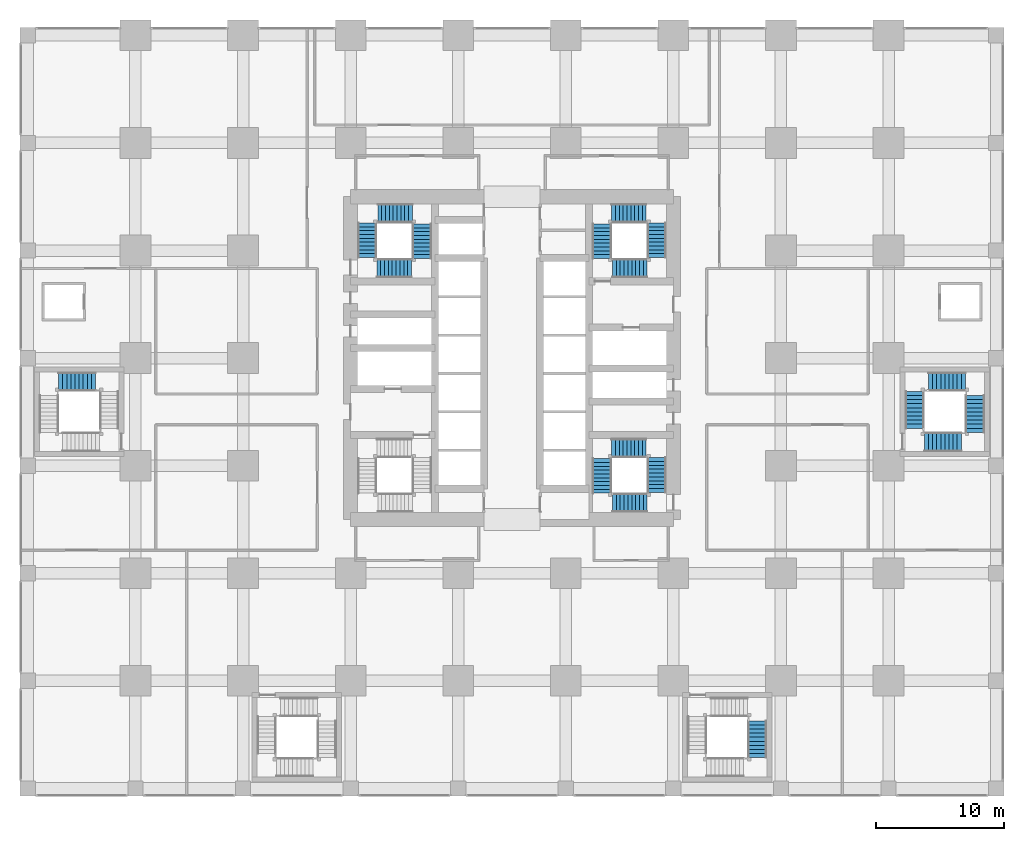
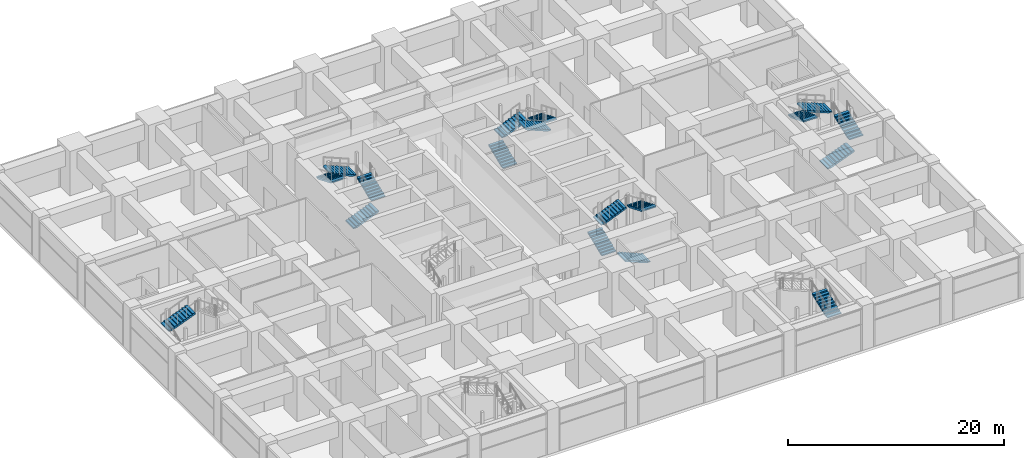
# One storey, part 40 of 49: 18 stair flights, 6 elements without a shape of their own.
"""IFC4 building model written with IfcOpenShell, lengths in metres."""

from ifc_helpers import new_model, si_unit, direction, frame, origin, place, context, subcontext, project, spatial, polyline, outline, extrude, material, type_object, element, aggregate, save


model = new_model("IFC4")

# Units and contexts
model_context = context("Model", 3, precision=1e-05, world=origin(), true_north=direction((0.0, 1.0)))
body_context = subcontext(model_context, "Body", "Model", "MODEL_VIEW")
ifc_project = project(units=[si_unit("LENGTHUNIT", "METRE"), si_unit("AREAUNIT", "SQUARE_METRE"), si_unit("VOLUMEUNIT", "CUBIC_METRE"), si_unit("PLANEANGLEUNIT", "RADIAN"), si_unit("MASSUNIT", "GRAM", prefix="KILO")], contexts=[model_context])

# Site, building, storey
site_placement = place(None, origin())
site = spatial("IfcSite", under=ifc_project, at=site_placement, CompositionType="ELEMENT")
building_placement = place(site_placement, origin())
building = spatial("IfcBuilding", under=site, at=building_placement, Name="Rekha Terrace Tower", CompositionType="ELEMENT")
storey_placement = place(building_placement, frame((0.0, 0.0, 10.39990234375)))
storey = spatial("IfcBuildingStorey", under=building, at=storey_placement, Name="L02", CompositionType="ELEMENT", Elevation=10.39990234375)

# Stair, stair flights
ifc_material = material(Name="Concrete M40", Category="concrete")
stair_type_1 = type_object("IfcStairType", Name="ST40 stair, 40 risers of 125, going 300, 1500 wide flights, 4 flights", PredefinedType="QUARTER_TURN_STAIR", material=ifc_material)
stair_1_placement = place(storey_placement, origin())
stair_1 = element("IfcStair", 1, at=stair_1_placement, inside=storey, type_object=stair_type_1, Name="Stair ST2 L02 to L03", PredefinedType="QUARTER_TURN_STAIR")
stair_flight_type_1 = type_object("IfcStairFlightType", Name="SF10 stair flight, 10 risers of 125, going 300, 1500 wide", PredefinedType="STRAIGHT", material=ifc_material)
stair_flight_1_placement = place(storey_placement, frame((44.824951171875, 41.375, 0.0), z_axis=(0.0, 0.0, 1.0), x_axis=(0.0, 1.0, 0.0)))
stair_flight_1 = element("IfcStairFlight", 2, at=stair_flight_1_placement, type_object=stair_flight_type_1, Name="ST2 flight 1", NumberOfRisers=10, NumberOfTreads=9, PredefinedType="STRAIGHT", RiserHeight=0.125, TreadLength=0.3, context=body_context, shape_type="SweptSolid", body=[
    extrude(outline(polyline([(0.0, 0.0), (0.0, 0.125), (0.300048828125, 0.125), (0.300048828125, 0.25), (0.60009765625, 0.25), (0.60009765625, 0.375), (0.89990234375, 0.375), (0.89990234375, 0.5), (1.199951171875, 0.5), (1.199951171875, 0.625), (1.5, 0.625), (1.5, 0.75), (1.800048828125, 0.75), (1.800048828125, 0.875), (2.10009765625, 0.875), (2.10009765625, 1.0), (2.39990234375, 1.0), (2.39990234375, 1.125), (2.699951171875, 1.125), (2.699951171875, 1.25), (2.699951171875, 0.962646484375), (0.3896484375, 0.0), (0.0, 0.0)])), frame((0.0, 0.75, 0.0), z_axis=(0.0, -1.0, 0.0), x_axis=(1.0, 0.0, 0.0)), (0.0, 0.0, 1.0), 1.5),
])
stair_flight_2_placement = place(storey_placement, frame((45.574951171875, 44.89990234375, 1.25), z_axis=(0.0, 0.0, 1.0), x_axis=(1.0, 0.0, 0.0)))
stair_flight_2 = element("IfcStairFlight", 3, at=stair_flight_2_placement, type_object=stair_flight_type_1, Name="ST2 flight 2", NumberOfRisers=10, NumberOfTreads=9, PredefinedType="STRAIGHT", RiserHeight=0.125, TreadLength=0.3, context=body_context, shape_type="SweptSolid", body=[
    extrude(outline(polyline([(0.0, 0.0), (0.0, 0.125), (0.300048828125, 0.125), (0.300048828125, 0.25), (0.60009765625, 0.25), (0.60009765625, 0.375), (0.89990234375, 0.375), (0.89990234375, 0.5), (1.199951171875, 0.5), (1.199951171875, 0.625), (1.5, 0.625), (1.5, 0.75), (1.800048828125, 0.75), (1.800048828125, 0.875), (2.10009765625, 0.875), (2.10009765625, 1.0), (2.39990234375, 1.0), (2.39990234375, 1.125), (2.699951171875, 1.125), (2.699951171875, 1.25), (2.699951171875, 0.962646484375), (0.3896484375, 0.0), (0.0, 0.0)])), frame((0.0, 0.75, 0.0), z_axis=(0.0, -1.0, 0.0), x_axis=(1.0, 0.0, 0.0)), (0.0, 0.0, 1.0), 1.5),
])
stair_flight_3_placement = place(storey_placement, frame((49.10009765625, 44.14990234375, 2.5), z_axis=(0.0, 0.0, 1.0), x_axis=(0.0, -1.0, 0.0)))
stair_flight_3 = element("IfcStairFlight", 4, at=stair_flight_3_placement, type_object=stair_flight_type_1, Name="ST2 flight 3", NumberOfRisers=10, NumberOfTreads=9, PredefinedType="STRAIGHT", RiserHeight=0.125, TreadLength=0.3, context=body_context, shape_type="SweptSolid", body=[
    extrude(outline(polyline([(0.0, 0.0), (0.0, 0.125), (0.300048828125, 0.125), (0.300048828125, 0.25), (0.60009765625, 0.25), (0.60009765625, 0.375), (0.89990234375, 0.375), (0.89990234375, 0.5), (1.199951171875, 0.5), (1.199951171875, 0.625), (1.5, 0.625), (1.5, 0.75), (1.800048828125, 0.75), (1.800048828125, 0.875), (2.10009765625, 0.875), (2.10009765625, 1.0), (2.39990234375, 1.0), (2.39990234375, 1.125), (2.699951171875, 1.125), (2.699951171875, 1.25), (2.699951171875, 0.962646484375), (0.3896484375, 0.0), (0.0, 0.0)])), frame((0.0, 0.75, 0.0), z_axis=(0.0, -1.0, 0.0), x_axis=(1.0, 0.0, 0.0)), (0.0, 0.0, 1.0), 1.5),
])
stair_flight_4_placement = place(storey_placement, frame((48.35009765625, 40.625, 3.75), z_axis=(0.0, 0.0, 1.0), x_axis=(-1.0, 0.0, 0.0)))
stair_flight_4 = element("IfcStairFlight", 5, at=stair_flight_4_placement, type_object=stair_flight_type_1, Name="ST2 flight 4", NumberOfRisers=10, NumberOfTreads=9, PredefinedType="STRAIGHT", RiserHeight=0.125, TreadLength=0.3, context=body_context, shape_type="SweptSolid", body=[
    extrude(outline(polyline([(0.0, 0.0), (0.0, 0.125), (0.300048828125, 0.125), (0.300048828125, 0.25), (0.60009765625, 0.25), (0.60009765625, 0.375), (0.89990234375, 0.375), (0.89990234375, 0.5), (1.199951171875, 0.5), (1.199951171875, 0.625), (1.5, 0.625), (1.5, 0.75), (1.800048828125, 0.75), (1.800048828125, 0.875), (2.10009765625, 0.875), (2.10009765625, 1.0), (2.39990234375, 1.0), (2.39990234375, 1.125), (2.699951171875, 1.125), (2.699951171875, 1.25), (2.699951171875, 0.962646484375), (0.3896484375, 0.0), (0.0, 0.0)])), frame((0.0, 0.75, 0.0), z_axis=(0.0, -1.0, 0.0), x_axis=(1.0, 0.0, 0.0)), (0.0, 0.0, 1.0), 1.5),
])
aggregate(stair_1, [stair_flight_1, stair_flight_2, stair_flight_3, stair_flight_4])

stair_2_placement = place(storey_placement, origin())
stair_2 = element("IfcStair", 6, at=stair_2_placement, inside=storey, type_object=stair_type_1, Name="Stair ST3 L02 to L03", PredefinedType="QUARTER_TURN_STAIR")
stair_flight_5_placement = place(storey_placement, frame((48.35009765625, 22.300048828125, 0.0), z_axis=(0.0, 0.0, 1.0), x_axis=(-1.0, 0.0, 0.0)))
stair_flight_5 = element("IfcStairFlight", 7, at=stair_flight_5_placement, type_object=stair_flight_type_1, Name="ST3 flight 1", NumberOfRisers=10, NumberOfTreads=9, PredefinedType="STRAIGHT", RiserHeight=0.125, TreadLength=0.3, context=body_context, shape_type="SweptSolid", body=[
    extrude(outline(polyline([(0.0, 0.0), (0.0, 0.125), (0.300048828125, 0.125), (0.300048828125, 0.25), (0.60009765625, 0.25), (0.60009765625, 0.375), (0.89990234375, 0.375), (0.89990234375, 0.5), (1.199951171875, 0.5), (1.199951171875, 0.625), (1.5, 0.625), (1.5, 0.75), (1.800048828125, 0.75), (1.800048828125, 0.875), (2.10009765625, 0.875), (2.10009765625, 1.0), (2.39990234375, 1.0), (2.39990234375, 1.125), (2.699951171875, 1.125), (2.699951171875, 1.25), (2.699951171875, 0.962646484375), (0.3896484375, 0.0), (0.0, 0.0)])), frame((0.0, 0.75, 0.0), z_axis=(0.0, -1.0, 0.0), x_axis=(1.0, 0.0, 0.0)), (0.0, 0.0, 1.0), 1.5),
])
stair_flight_6_placement = place(storey_placement, frame((44.824951171875, 23.050048828125, 1.25), z_axis=(0.0, 0.0, 1.0), x_axis=(0.0, 1.0, 0.0)))
stair_flight_6 = element("IfcStairFlight", 8, at=stair_flight_6_placement, type_object=stair_flight_type_1, Name="ST3 flight 2", NumberOfRisers=10, NumberOfTreads=9, PredefinedType="STRAIGHT", RiserHeight=0.125, TreadLength=0.3, context=body_context, shape_type="SweptSolid", body=[
    extrude(outline(polyline([(0.0, 0.0), (0.0, 0.125), (0.300048828125, 0.125), (0.300048828125, 0.25), (0.60009765625, 0.25), (0.60009765625, 0.375), (0.89990234375, 0.375), (0.89990234375, 0.5), (1.199951171875, 0.5), (1.199951171875, 0.625), (1.5, 0.625), (1.5, 0.75), (1.800048828125, 0.75), (1.800048828125, 0.875), (2.10009765625, 0.875), (2.10009765625, 1.0), (2.39990234375, 1.0), (2.39990234375, 1.125), (2.699951171875, 1.125), (2.699951171875, 1.25), (2.699951171875, 0.962646484375), (0.3896484375, 0.0), (0.0, 0.0)])), frame((0.0, 0.75, 0.0), z_axis=(0.0, -1.0, 0.0), x_axis=(1.0, 0.0, 0.0)), (0.0, 0.0, 1.0), 1.5),
])
stair_flight_7_placement = place(storey_placement, frame((45.574951171875, 26.574951171875, 2.5), z_axis=(0.0, 0.0, 1.0), x_axis=(1.0, 0.0, 0.0)))
stair_flight_7 = element("IfcStairFlight", 9, at=stair_flight_7_placement, type_object=stair_flight_type_1, Name="ST3 flight 3", NumberOfRisers=10, NumberOfTreads=9, PredefinedType="STRAIGHT", RiserHeight=0.125, TreadLength=0.3, context=body_context, shape_type="SweptSolid", body=[
    extrude(outline(polyline([(0.0, 0.0), (0.0, 0.125), (0.300048828125, 0.125), (0.300048828125, 0.25), (0.60009765625, 0.25), (0.60009765625, 0.375), (0.89990234375, 0.375), (0.89990234375, 0.5), (1.199951171875, 0.5), (1.199951171875, 0.625), (1.5, 0.625), (1.5, 0.75), (1.800048828125, 0.75), (1.800048828125, 0.875), (2.10009765625, 0.875), (2.10009765625, 1.0), (2.39990234375, 1.0), (2.39990234375, 1.125), (2.699951171875, 1.125), (2.699951171875, 1.25), (2.699951171875, 0.962646484375), (0.3896484375, 0.0), (0.0, 0.0)])), frame((0.0, 0.75, 0.0), z_axis=(0.0, -1.0, 0.0), x_axis=(1.0, 0.0, 0.0)), (0.0, 0.0, 1.0), 1.5),
])
stair_flight_8_placement = place(storey_placement, frame((49.10009765625, 25.824951171875, 3.75), z_axis=(0.0, 0.0, 1.0), x_axis=(0.0, -1.0, 0.0)))
stair_flight_8 = element("IfcStairFlight", 10, at=stair_flight_8_placement, type_object=stair_flight_type_1, Name="ST3 flight 4", NumberOfRisers=10, NumberOfTreads=9, PredefinedType="STRAIGHT", RiserHeight=0.125, TreadLength=0.3, context=body_context, shape_type="SweptSolid", body=[
    extrude(outline(polyline([(0.0, 0.0), (0.0, 0.125), (0.300048828125, 0.125), (0.300048828125, 0.25), (0.60009765625, 0.25), (0.60009765625, 0.375), (0.89990234375, 0.375), (0.89990234375, 0.5), (1.199951171875, 0.5), (1.199951171875, 0.625), (1.5, 0.625), (1.5, 0.75), (1.800048828125, 0.75), (1.800048828125, 0.875), (2.10009765625, 0.875), (2.10009765625, 1.0), (2.39990234375, 1.0), (2.39990234375, 1.125), (2.699951171875, 1.125), (2.699951171875, 1.25), (2.699951171875, 0.962646484375), (0.3896484375, 0.0), (0.0, 0.0)])), frame((0.0, 0.75, 0.0), z_axis=(0.0, -1.0, 0.0), x_axis=(1.0, 0.0, 0.0)), (0.0, 0.0, 1.0), 1.5),
])
aggregate(stair_2, [stair_flight_5, stair_flight_6, stair_flight_7, stair_flight_8])

stair_3_placement = place(storey_placement, origin())
stair_3 = element("IfcStair", 11, at=stair_3_placement, inside=storey, type_object=stair_type_1, Name="Stair ST4 L02 to L03", PredefinedType="QUARTER_TURN_STAIR")
stair_flight_9_placement = place(storey_placement, frame((27.25, 40.625, 0.0), z_axis=(0.0, 0.0, 1.0), x_axis=(1.0, 0.0, 0.0)))
stair_flight_9 = element("IfcStairFlight", 12, at=stair_flight_9_placement, type_object=stair_flight_type_1, Name="ST4 flight 1", NumberOfRisers=10, NumberOfTreads=9, PredefinedType="STRAIGHT", RiserHeight=0.125, TreadLength=0.3, context=body_context, shape_type="SweptSolid", body=[
    extrude(outline(polyline([(0.0, 0.0), (0.0, 0.125), (0.300048828125, 0.125), (0.300048828125, 0.25), (0.60009765625, 0.25), (0.60009765625, 0.375), (0.89990234375, 0.375), (0.89990234375, 0.5), (1.199951171875, 0.5), (1.199951171875, 0.625), (1.5, 0.625), (1.5, 0.75), (1.800048828125, 0.75), (1.800048828125, 0.875), (2.10009765625, 0.875), (2.10009765625, 1.0), (2.39990234375, 1.0), (2.39990234375, 1.125), (2.699951171875, 1.125), (2.699951171875, 1.25), (2.699951171875, 0.962646484375), (0.3896484375, 0.0), (0.0, 0.0)])), frame((0.0, 0.75, 0.0), z_axis=(0.0, -1.0, 0.0), x_axis=(1.0, 0.0, 0.0)), (0.0, 0.0, 1.0), 1.5),
])
stair_flight_10_placement = place(storey_placement, frame((30.77490234375, 41.375, 1.25), z_axis=(0.0, 0.0, 1.0), x_axis=(0.0, 1.0, 0.0)))
stair_flight_10 = element("IfcStairFlight", 13, at=stair_flight_10_placement, type_object=stair_flight_type_1, Name="ST4 flight 2", NumberOfRisers=10, NumberOfTreads=9, PredefinedType="STRAIGHT", RiserHeight=0.125, TreadLength=0.3, context=body_context, shape_type="SweptSolid", body=[
    extrude(outline(polyline([(0.0, 0.0), (0.0, 0.125), (0.300048828125, 0.125), (0.300048828125, 0.25), (0.60009765625, 0.25), (0.60009765625, 0.375), (0.89990234375, 0.375), (0.89990234375, 0.5), (1.199951171875, 0.5), (1.199951171875, 0.625), (1.5, 0.625), (1.5, 0.75), (1.800048828125, 0.75), (1.800048828125, 0.875), (2.10009765625, 0.875), (2.10009765625, 1.0), (2.39990234375, 1.0), (2.39990234375, 1.125), (2.699951171875, 1.125), (2.699951171875, 1.25), (2.699951171875, 0.962646484375), (0.3896484375, 0.0), (0.0, 0.0)])), frame((0.0, 0.75, 0.0), z_axis=(0.0, -1.0, 0.0), x_axis=(1.0, 0.0, 0.0)), (0.0, 0.0, 1.0), 1.5),
])
stair_flight_11_placement = place(storey_placement, frame((30.02490234375, 44.89990234375, 2.5), z_axis=(0.0, 0.0, 1.0), x_axis=(-1.0, 0.0, 0.0)))
stair_flight_11 = element("IfcStairFlight", 14, at=stair_flight_11_placement, type_object=stair_flight_type_1, Name="ST4 flight 3", NumberOfRisers=10, NumberOfTreads=9, PredefinedType="STRAIGHT", RiserHeight=0.125, TreadLength=0.3, context=body_context, shape_type="SweptSolid", body=[
    extrude(outline(polyline([(0.0, 0.0), (0.0, 0.125), (0.300048828125, 0.125), (0.300048828125, 0.25), (0.60009765625, 0.25), (0.60009765625, 0.375), (0.89990234375, 0.375), (0.89990234375, 0.5), (1.199951171875, 0.5), (1.199951171875, 0.625), (1.5, 0.625), (1.5, 0.75), (1.800048828125, 0.75), (1.800048828125, 0.875), (2.10009765625, 0.875), (2.10009765625, 1.0), (2.39990234375, 1.0), (2.39990234375, 1.125), (2.699951171875, 1.125), (2.699951171875, 1.25), (2.699951171875, 0.962646484375), (0.3896484375, 0.0), (0.0, 0.0)])), frame((0.0, 0.75, 0.0), z_axis=(0.0, -1.0, 0.0), x_axis=(1.0, 0.0, 0.0)), (0.0, 0.0, 1.0), 1.5),
])
stair_flight_12_placement = place(storey_placement, frame((26.5, 44.14990234375, 3.75), z_axis=(0.0, 0.0, 1.0), x_axis=(0.0, -1.0, 0.0)))
stair_flight_12 = element("IfcStairFlight", 15, at=stair_flight_12_placement, type_object=stair_flight_type_1, Name="ST4 flight 4", NumberOfRisers=10, NumberOfTreads=9, PredefinedType="STRAIGHT", RiserHeight=0.125, TreadLength=0.3, context=body_context, shape_type="SweptSolid", body=[
    extrude(outline(polyline([(0.0, 0.0), (0.0, 0.125), (0.300048828125, 0.125), (0.300048828125, 0.25), (0.60009765625, 0.25), (0.60009765625, 0.375), (0.89990234375, 0.375), (0.89990234375, 0.5), (1.199951171875, 0.5), (1.199951171875, 0.625), (1.5, 0.625), (1.5, 0.75), (1.800048828125, 0.75), (1.800048828125, 0.875), (2.10009765625, 0.875), (2.10009765625, 1.0), (2.39990234375, 1.0), (2.39990234375, 1.125), (2.699951171875, 1.125), (2.699951171875, 1.25), (2.699951171875, 0.962646484375), (0.3896484375, 0.0), (0.0, 0.0)])), frame((0.0, 0.75, 0.0), z_axis=(0.0, -1.0, 0.0), x_axis=(1.0, 0.0, 0.0)), (0.0, 0.0, 1.0), 1.5),
])
aggregate(stair_3, [stair_flight_9, stair_flight_10, stair_flight_11, stair_flight_12])

# Stair, stair flight
stair_type_2 = type_object("IfcStairType", Name="ST40 stair, 40 risers of 125, going 320, 1500 wide flights, 4 flights", PredefinedType="QUARTER_TURN_STAIR", material=ifc_material)
stair_4_placement = place(storey_placement, origin())
stair_4 = element("IfcStair", 16, at=stair_4_placement, inside=storey, type_object=stair_type_2, Name="Stair SP1 L02 to L03", PredefinedType="QUARTER_TURN_STAIR")
stair_flight_type_2 = type_object("IfcStairFlightType", Name="SF10 stair flight, 10 risers of 125, going 320, 1500 wide", PredefinedType="STRAIGHT", material=ifc_material)
stair_flight_13_placement = place(storey_placement, frame((2.39990234375, 31.75, 2.5), z_axis=(0.0, 0.0, 1.0), x_axis=(1.0, 0.0, 0.0)))
stair_flight_13 = element("IfcStairFlight", 17, at=stair_flight_13_placement, type_object=stair_flight_type_2, Name="SP1 flight 3", NumberOfRisers=10, NumberOfTreads=9, PredefinedType="STRAIGHT", RiserHeight=0.125, TreadLength=0.32, context=body_context, shape_type="SweptSolid", body=[
    extrude(outline(polyline([(0.0, 0.0), (0.0, 0.125), (0.320068359375, 0.125), (0.320068359375, 0.25), (0.639892578125, 0.25), (0.639892578125, 0.375), (0.9599609375, 0.375), (0.9599609375, 0.5), (1.280029296875, 0.5), (1.280029296875, 0.625), (1.60009765625, 0.625), (1.60009765625, 0.75), (1.919921875, 0.75), (1.919921875, 0.875), (2.239990234375, 0.875), (2.239990234375, 1.0), (2.56005859375, 1.0), (2.56005859375, 1.125), (2.8798828125, 1.125), (2.8798828125, 1.25), (2.8798828125, 0.964111328125), (0.412109375, 0.0), (0.0, 0.0)])), frame((0.0, 0.75, 0.0), z_axis=(0.0, -1.0, 0.0), x_axis=(1.0, 0.0, 0.0)), (0.0, 0.0, 1.0), 1.5),
])
aggregate(stair_4, [stair_flight_13])

# Stair, stair flights
stair_5_placement = place(storey_placement, origin())
stair_5 = element("IfcStair", 18, at=stair_5_placement, inside=storey, type_object=stair_type_2, Name="Stair SP2 L02 to L03", PredefinedType="QUARTER_TURN_STAIR")
stair_flight_14_placement = place(storey_placement, frame((70.0, 27.050048828125, 0.0), z_axis=(0.0, 0.0, 1.0), x_axis=(1.0, 0.0, 0.0)))
stair_flight_14 = element("IfcStairFlight", 19, at=stair_flight_14_placement, type_object=stair_flight_type_2, Name="SP2 flight 1", NumberOfRisers=10, NumberOfTreads=9, PredefinedType="STRAIGHT", RiserHeight=0.125, TreadLength=0.32, context=body_context, shape_type="SweptSolid", body=[
    extrude(outline(polyline([(0.0, 0.0), (0.0, 0.125), (0.320068359375, 0.125), (0.320068359375, 0.25), (0.639892578125, 0.25), (0.639892578125, 0.375), (0.9599609375, 0.375), (0.9599609375, 0.5), (1.280029296875, 0.5), (1.280029296875, 0.625), (1.60009765625, 0.625), (1.60009765625, 0.75), (1.919921875, 0.75), (1.919921875, 0.875), (2.239990234375, 0.875), (2.239990234375, 1.0), (2.56005859375, 1.0), (2.56005859375, 1.125), (2.8798828125, 1.125), (2.8798828125, 1.25), (2.8798828125, 0.964111328125), (0.412109375, 0.0), (0.0, 0.0)])), frame((0.0, 0.75, 0.0), z_axis=(0.0, -1.0, 0.0), x_axis=(1.0, 0.0, 0.0)), (0.0, 0.0, 1.0), 1.5),
])
stair_flight_15_placement = place(storey_placement, frame((73.949951171875, 27.800048828125, 1.25), z_axis=(0.0, 0.0, 1.0), x_axis=(0.0, 1.0, 0.0)))
stair_flight_15 = element("IfcStairFlight", 20, at=stair_flight_15_placement, type_object=stair_flight_type_2, Name="SP2 flight 2", NumberOfRisers=10, NumberOfTreads=9, PredefinedType="STRAIGHT", RiserHeight=0.125, TreadLength=0.32, context=body_context, shape_type="SweptSolid", body=[
    extrude(outline(polyline([(0.0, 0.0), (0.0, 0.125), (0.320068359375, 0.125), (0.320068359375, 0.25), (0.639892578125, 0.25), (0.639892578125, 0.375), (0.9599609375, 0.375), (0.9599609375, 0.5), (1.280029296875, 0.5), (1.280029296875, 0.625), (1.60009765625, 0.625), (1.60009765625, 0.75), (1.919921875, 0.75), (1.919921875, 0.875), (2.239990234375, 0.875), (2.239990234375, 1.0), (2.56005859375, 1.0), (2.56005859375, 1.125), (2.8798828125, 1.125), (2.8798828125, 1.25), (2.8798828125, 0.964111328125), (0.412109375, 0.0), (0.0, 0.0)])), frame((0.0, 0.75, 0.0), z_axis=(0.0, -1.0, 0.0), x_axis=(1.0, 0.0, 0.0)), (0.0, 0.0, 1.0), 1.5),
])
stair_flight_16_placement = place(storey_placement, frame((73.199951171875, 31.75, 2.5), z_axis=(0.0, 0.0, 1.0), x_axis=(-1.0, 0.0, 0.0)))
stair_flight_16 = element("IfcStairFlight", 21, at=stair_flight_16_placement, type_object=stair_flight_type_2, Name="SP2 flight 3", NumberOfRisers=10, NumberOfTreads=9, PredefinedType="STRAIGHT", RiserHeight=0.125, TreadLength=0.32, context=body_context, shape_type="SweptSolid", body=[
    extrude(outline(polyline([(0.0, 0.0), (0.0, 0.125), (0.320068359375, 0.125), (0.320068359375, 0.25), (0.639892578125, 0.25), (0.639892578125, 0.375), (0.9599609375, 0.375), (0.9599609375, 0.5), (1.280029296875, 0.5), (1.280029296875, 0.625), (1.60009765625, 0.625), (1.60009765625, 0.75), (1.919921875, 0.75), (1.919921875, 0.875), (2.239990234375, 0.875), (2.239990234375, 1.0), (2.56005859375, 1.0), (2.56005859375, 1.125), (2.8798828125, 1.125), (2.8798828125, 1.25), (2.8798828125, 0.964111328125), (0.412109375, 0.0), (0.0, 0.0)])), frame((0.0, 0.75, 0.0), z_axis=(0.0, -1.0, 0.0), x_axis=(1.0, 0.0, 0.0)), (0.0, 0.0, 1.0), 1.5),
])
stair_flight_17_placement = place(storey_placement, frame((69.25, 31.0, 3.75), z_axis=(0.0, 0.0, 1.0), x_axis=(0.0, -1.0, 0.0)))
stair_flight_17 = element("IfcStairFlight", 22, at=stair_flight_17_placement, type_object=stair_flight_type_2, Name="SP2 flight 4", NumberOfRisers=10, NumberOfTreads=9, PredefinedType="STRAIGHT", RiserHeight=0.125, TreadLength=0.32, context=body_context, shape_type="SweptSolid", body=[
    extrude(outline(polyline([(0.0, 0.0), (0.0, 0.125), (0.320068359375, 0.125), (0.320068359375, 0.25), (0.639892578125, 0.25), (0.639892578125, 0.375), (0.9599609375, 0.375), (0.9599609375, 0.5), (1.280029296875, 0.5), (1.280029296875, 0.625), (1.60009765625, 0.625), (1.60009765625, 0.75), (1.919921875, 0.75), (1.919921875, 0.875), (2.239990234375, 0.875), (2.239990234375, 1.0), (2.56005859375, 1.0), (2.56005859375, 1.125), (2.8798828125, 1.125), (2.8798828125, 1.25), (2.8798828125, 0.964111328125), (0.412109375, 0.0), (0.0, 0.0)])), frame((0.0, 0.75, 0.0), z_axis=(0.0, -1.0, 0.0), x_axis=(1.0, 0.0, 0.0)), (0.0, 0.0, 1.0), 1.5),
])
aggregate(stair_5, [stair_flight_14, stair_flight_15, stair_flight_16, stair_flight_17])

# Stair, stair flight
stair_6_placement = place(storey_placement, origin())
stair_6 = element("IfcStair", 23, at=stair_6_placement, inside=storey, type_object=stair_type_2, Name="Stair SP4 L02 to L03", PredefinedType="QUARTER_TURN_STAIR")
stair_flight_18_placement = place(storey_placement, frame((56.949951171875, 2.39990234375, 2.5), z_axis=(0.0, 0.0, 1.0), x_axis=(0.0, 1.0, 0.0)))
stair_flight_18 = element("IfcStairFlight", 24, at=stair_flight_18_placement, type_object=stair_flight_type_2, Name="SP4 flight 3", NumberOfRisers=10, NumberOfTreads=9, PredefinedType="STRAIGHT", RiserHeight=0.125, TreadLength=0.32, context=body_context, shape_type="SweptSolid", body=[
    extrude(outline(polyline([(0.0, 0.0), (0.0, 0.125), (0.320068359375, 0.125), (0.320068359375, 0.25), (0.639892578125, 0.25), (0.639892578125, 0.375), (0.9599609375, 0.375), (0.9599609375, 0.5), (1.280029296875, 0.5), (1.280029296875, 0.625), (1.60009765625, 0.625), (1.60009765625, 0.75), (1.919921875, 0.75), (1.919921875, 0.875), (2.239990234375, 0.875), (2.239990234375, 1.0), (2.56005859375, 1.0), (2.56005859375, 1.125), (2.8798828125, 1.125), (2.8798828125, 1.25), (2.8798828125, 0.964111328125), (0.412109375, 0.0), (0.0, 0.0)])), frame((0.0, 0.75, 0.0), z_axis=(0.0, -1.0, 0.0), x_axis=(1.0, 0.0, 0.0)), (0.0, 0.0, 1.0), 1.5),
])
aggregate(stair_6, [stair_flight_18])

save(model, "model.ifc")
